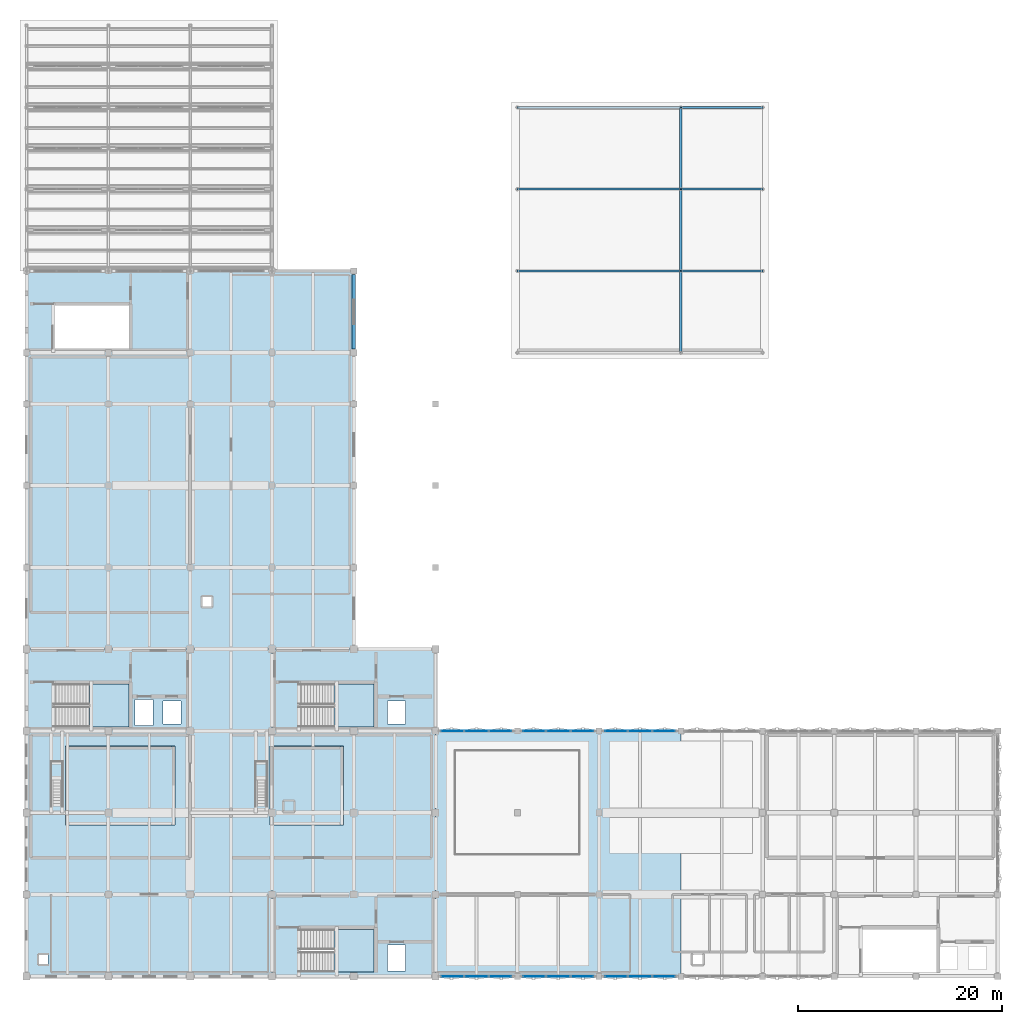
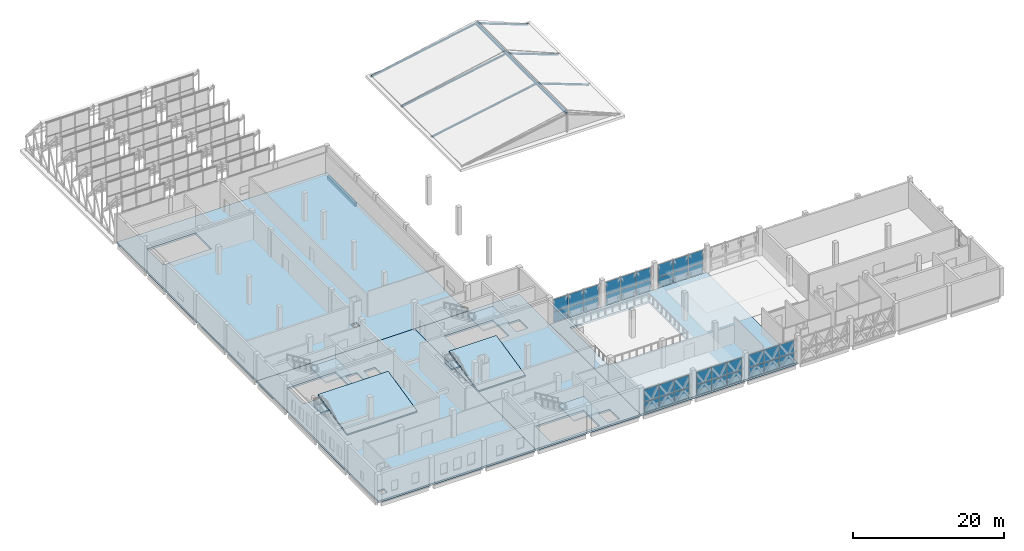
# One storey, part 29 of 43: 36 plates, 11 slabs, 6 members, 4 beams, 11 elements without a shape of their own.
"""IFC4 building model written with IfcOpenShell, lengths in metres."""

from ifc_helpers import new_model, si_unit, direction, frame, origin, origin_2d, place, context, subcontext, project, spatial, polyline, rectangle, i_section, outline, extrude, material, layer, layer_set, material_profile, profile_set, type_object, element, aggregate, save


model = new_model("IFC4")

# Units and contexts
model_context = context("Model", 3, precision=1e-05, world=origin(), true_north=direction((0.0, 1.0)))
body_context = subcontext(model_context, "Body", "Model", "MODEL_VIEW")
ifc_project = project(units=[si_unit("LENGTHUNIT", "METRE"), si_unit("AREAUNIT", "SQUARE_METRE"), si_unit("VOLUMEUNIT", "CUBIC_METRE"), si_unit("PLANEANGLEUNIT", "RADIAN"), si_unit("MASSUNIT", "GRAM", prefix="KILO")], contexts=[model_context])

# Site, building, storey
site_placement = place(None, origin())
site = spatial("IfcSite", under=ifc_project, at=site_placement, CompositionType="ELEMENT")
building_placement = place(site_placement, origin())
building = spatial("IfcBuilding", under=site, at=building_placement, Name="Qorikala Patio Media Centre", CompositionType="ELEMENT")
storey_placement = place(building_placement, frame((0.0, 0.0, 18.89990234375)))
storey = spatial("IfcBuildingStorey", under=building, at=storey_placement, Name="L04", CompositionType="ELEMENT", Elevation=18.89990234375)

# Members
ifc_material_1 = material(Name="Steel S355", Category="steel")
ifc_material_profile_1 = material_profile(ifc_material_1, i_section(OverallWidth=0.202880859375, OverallDepth=0.251953125, WebThickness=0.008056640625, FlangeThickness=0.013427734375, at=origin_2d()), Name="W250X58")
ifc_profile_set_1 = profile_set([ifc_material_profile_1], Name="Steel S355")
member_type = type_object("IfcMemberType", Name="RAFTER-W250X58", PredefinedType="RAFTER", material=ifc_profile_set_1)
member_1_placement = place(storey_placement, frame((51.0, 72.0, 0.150146484375), z_axis=(0.982872186934, 0.0, 0.18428853505), x_axis=(0.0, 1.0, 0.0)))
element("IfcMember", 1, at=member_1_placement, inside=storey, type_object=member_type, Name="RF-V5A W Steel Rafter Y=72", PredefinedType="RAFTER", context=body_context, shape_type="SweptSolid", body=[
    extrude(i_section(OverallWidth=0.202880859375, OverallDepth=0.251953125, WebThickness=0.008056640625, FlangeThickness=0.013427734375, at=origin_2d()), origin(), (0.0, 0.0, 1.0), 16.27880859375),
])
member_2_placement = place(storey_placement, frame((67.0, 72.0, 3.150146484375), z_axis=(0.936329177569, 0.0, -0.351123441588), x_axis=(0.0, 1.0, 0.0)))
element("IfcMember", 2, at=member_2_placement, inside=storey, type_object=member_type, Name="RF-V5A E Steel Rafter Y=72", PredefinedType="RAFTER", context=body_context, shape_type="SweptSolid", body=[
    extrude(i_section(OverallWidth=0.202880859375, OverallDepth=0.251953125, WebThickness=0.008056640625, FlangeThickness=0.013427734375, at=origin_2d()), origin(), (0.0, 0.0, 1.0), 8.5439453125),
])
member_3_placement = place(storey_placement, frame((51.0, 80.0, 0.150146484375), z_axis=(0.982872186934, 0.0, 0.18428853505), x_axis=(0.0, 1.0, 0.0)))
element("IfcMember", 3, at=member_3_placement, inside=storey, type_object=member_type, Name="RF-V5A W Steel Rafter Y=80", PredefinedType="RAFTER", context=body_context, shape_type="SweptSolid", body=[
    extrude(i_section(OverallWidth=0.202880859375, OverallDepth=0.251953125, WebThickness=0.008056640625, FlangeThickness=0.013427734375, at=origin_2d()), origin(), (0.0, 0.0, 1.0), 16.27880859375),
])
member_4_placement = place(storey_placement, frame((67.0, 80.0, 3.150146484375), z_axis=(0.936329177569, 0.0, -0.351123441588), x_axis=(0.0, 1.0, 0.0)))
element("IfcMember", 4, at=member_4_placement, inside=storey, type_object=member_type, Name="RF-V5A E Steel Rafter Y=80", PredefinedType="RAFTER", context=body_context, shape_type="SweptSolid", body=[
    extrude(i_section(OverallWidth=0.202880859375, OverallDepth=0.251953125, WebThickness=0.008056640625, FlangeThickness=0.013427734375, at=origin_2d()), origin(), (0.0, 0.0, 1.0), 8.5439453125),
])
member_5_placement = place(storey_placement, frame((51.0, 88.0, 0.150146484375), z_axis=(0.982872186934, 0.0, 0.18428853505), x_axis=(0.0, 1.0, 0.0)))
element("IfcMember", 5, at=member_5_placement, inside=storey, type_object=member_type, Name="RF-V5B W Steel Rafter Y=88", PredefinedType="RAFTER", context=body_context, shape_type="SweptSolid", body=[
    extrude(i_section(OverallWidth=0.202880859375, OverallDepth=0.251953125, WebThickness=0.008056640625, FlangeThickness=0.013427734375, at=origin_2d()), origin(), (0.0, 0.0, 1.0), 16.27880859375),
])
member_6_placement = place(storey_placement, frame((67.0, 88.0, 3.150146484375), z_axis=(0.936329177569, 0.0, -0.351123441588), x_axis=(0.0, 1.0, 0.0)))
element("IfcMember", 6, at=member_6_placement, inside=storey, type_object=member_type, Name="RF-V5B E Steel Rafter Y=88", PredefinedType="RAFTER", context=body_context, shape_type="SweptSolid", body=[
    extrude(i_section(OverallWidth=0.202880859375, OverallDepth=0.251953125, WebThickness=0.008056640625, FlangeThickness=0.013427734375, at=origin_2d()), origin(), (0.0, 0.0, 1.0), 8.5439453125),
])

# Beams
ifc_material_profile_2 = material_profile(ifc_material_1, i_section(OverallWidth=0.25390625, OverallDepth=0.35302734375, WebThickness=0.009521484375, FlangeThickness=0.016357421875, at=origin_2d()), Name="W360X91")
ifc_profile_set_2 = profile_set([ifc_material_profile_2], Name="Steel S355")
beam_type_1 = type_object("IfcBeamType", Name="SBM-W360X91", PredefinedType="BEAM", material=ifc_profile_set_2)
for number, where, z_axis, x_axis, name in (
    (7, (67.0, 64.0, 3.150146484375), (0.0, 1.0, 0.0), (-1.0, 0.0, 0.0), "RF-V5A Steel Ridge Girder"),
    (8, (67.0, 72.0, 3.150146484375), (0.0, 1.0, 0.0), (-1.0, 0.0, 0.0), "RF-V5A Steel Ridge Girder"),
    (9, (67.0, 80.0, 3.150146484375), (0.0, 1.0, 0.0), (-1.0, 0.0, 0.0), "RF-V5B Steel Ridge Girder"),
):
    element("IfcBeam", number, at=place(storey_placement, frame(where, z_axis=z_axis, x_axis=x_axis)), inside=storey, type_object=beam_type_1, Name=name, PredefinedType="BEAM", context=body_context, shape_type="SweptSolid", body=[
        extrude(i_section(OverallWidth=0.25390625, OverallDepth=0.35302734375, WebThickness=0.009521484375, FlangeThickness=0.016357421875, at=origin_2d()), origin(), (0.0, 0.0, 1.0), 8.0),
    ])
ifc_material_2 = material(Name="Concrete C35/45", Category="concrete")
ifc_material_profile_3 = material_profile(ifc_material_2, rectangle(XDim=0.320068359375, YDim=0.580078125, at=origin_2d()), Name="RC 320x580")
ifc_profile_set_3 = profile_set([ifc_material_profile_3], Name="Concrete C35/45")
beam_type_2 = type_object("IfcBeamType", Name="SP-320X580", PredefinedType="SPANDREL", material=ifc_profile_set_3)
beam_placement = place(storey_placement, frame((35.0, 64.35009765625, -0.58984375), z_axis=(0.0, 1.0, 0.0), x_axis=(-1.0, 0.0, 0.0)))
element("IfcBeam", 10, at=beam_placement, inside=storey, type_object=beam_type_2, Name="L04 Grid X=35 Beam 1423", PredefinedType="SPANDREL", context=body_context, shape_type="SweptSolid", body=[
    extrude(rectangle(XDim=0.320068359375, YDim=0.580078125, at=origin_2d()), origin(), (0.0, 0.0, 1.0), 7.2998046875),
])

# Curtain wall, plates
ifc_material_3 = material(Name="Golden Bronze Anodised Aluminium and Low-E Glass", Category="aluminium")
ifc_layer_1 = layer(ifc_material_3, 0.159912109375)
ifc_layer_set_1 = layer_set([ifc_layer_1], Name="Golden Bronze Anodised Aluminium and Low-E Glass")
curtain_wall_type = type_object("IfcCurtainWallType", Name="CW-DIA-696X385", PredefinedType="USERDEFINED", material=ifc_layer_set_1)
curtain_wall_1_placement = place(storey_placement, origin())
curtain_wall_1 = element("IfcCurtainWall", 11, at=curtain_wall_1_placement, inside=storey, type_object=curtain_wall_type, Name="L04 Courtyard Curtain Wall 086", ObjectType="COURTYARD CURTAIN WALL", PredefinedType="USERDEFINED")
ifc_material_4 = material(Name="Solar-Control Diamond Facet Glass", Category="glass")
ifc_layer_2 = layer(ifc_material_4, 0.035888671875)
ifc_layer_set_2 = layer_set([ifc_layer_2], Name="Solar-Control Diamond Facet Glass")
plate_type = type_object("IfcPlateType", Name="CWP-36", PredefinedType="CURTAIN_PANEL", material=ifc_layer_set_2)
plate_1_placement = place(storey_placement, frame((65.3037109375, 3.0, 0.06494140625), z_axis=(0.0, 0.0, 1.0), x_axis=(-1.0, 0.0, 0.0)))
plate_1 = element("IfcPlate", 12, at=plate_1_placement, type_object=plate_type, Name="CWD696385 panel 1.1", PredefinedType="CURTAIN_PANEL", context=body_context, shape_type="SweptSolid", body=[
    extrude(rectangle(XDim=2.222412109375, YDim=0.035888671875, at=origin_2d()), origin(), (0.0, 0.0, 1.0), 1.635009765625),
])
plate_2_placement = place(storey_placement, frame((65.3037109375, 3.0, 1.76513671875), z_axis=(0.0, 0.0, 1.0), x_axis=(-1.0, 0.0, 0.0)))
plate_2 = element("IfcPlate", 13, at=plate_2_placement, type_object=plate_type, Name="CWD696385 panel 1.2", PredefinedType="CURTAIN_PANEL", context=body_context, shape_type="SweptSolid", body=[
    extrude(rectangle(XDim=2.222412109375, YDim=0.035888671875, at=origin_2d()), origin(), (0.0, 0.0, 1.0), 2.02001953125),
])
plate_3_placement = place(storey_placement, frame((63.0, 3.0, 0.06494140625), z_axis=(0.0, 0.0, 1.0), x_axis=(-1.0, 0.0, 0.0)))
plate_3 = element("IfcPlate", 14, at=plate_3_placement, type_object=plate_type, Name="CWD696385 panel 2.1", PredefinedType="CURTAIN_PANEL", context=body_context, shape_type="SweptSolid", body=[
    extrude(rectangle(XDim=2.2548828125, YDim=0.035888671875, at=origin_2d()), origin(), (0.0, 0.0, 1.0), 1.635009765625),
])
plate_4_placement = place(storey_placement, frame((63.0, 3.0, 1.76513671875), z_axis=(0.0, 0.0, 1.0), x_axis=(-1.0, 0.0, 0.0)))
plate_4 = element("IfcPlate", 15, at=plate_4_placement, type_object=plate_type, Name="CWD696385 panel 2.2", PredefinedType="CURTAIN_PANEL", context=body_context, shape_type="SweptSolid", body=[
    extrude(rectangle(XDim=2.2548828125, YDim=0.035888671875, at=origin_2d()), origin(), (0.0, 0.0, 1.0), 2.02001953125),
])
plate_5_placement = place(storey_placement, frame((60.6962890625, 3.0, 0.06494140625), z_axis=(0.0, 0.0, 1.0), x_axis=(-1.0, 0.0, 0.0)))
plate_5 = element("IfcPlate", 16, at=plate_5_placement, type_object=plate_type, Name="CWD696385 panel 3.1", PredefinedType="CURTAIN_PANEL", context=body_context, shape_type="SweptSolid", body=[
    extrude(rectangle(XDim=2.222412109375, YDim=0.035888671875, at=origin_2d()), origin(), (0.0, 0.0, 1.0), 1.635009765625),
])
plate_6_placement = place(storey_placement, frame((60.6962890625, 3.0, 1.76513671875), z_axis=(0.0, 0.0, 1.0), x_axis=(-1.0, 0.0, 0.0)))
plate_6 = element("IfcPlate", 17, at=plate_6_placement, type_object=plate_type, Name="CWD696385 panel 3.2", PredefinedType="CURTAIN_PANEL", context=body_context, shape_type="SweptSolid", body=[
    extrude(rectangle(XDim=2.222412109375, YDim=0.035888671875, at=origin_2d()), origin(), (0.0, 0.0, 1.0), 2.02001953125),
])
aggregate(curtain_wall_1, [plate_1, plate_2, plate_3, plate_4, plate_5, plate_6])

curtain_wall_2_placement = place(storey_placement, origin())
curtain_wall_2 = element("IfcCurtainWall", 18, at=curtain_wall_2_placement, inside=storey, type_object=curtain_wall_type, Name="L04 Courtyard Curtain Wall 087", ObjectType="COURTYARD CURTAIN WALL", PredefinedType="USERDEFINED")
plate_7_placement = place(storey_placement, frame((57.3037109375, 3.0, 0.06494140625), z_axis=(0.0, 0.0, 1.0), x_axis=(-1.0, 0.0, 0.0)))
plate_7 = element("IfcPlate", 19, at=plate_7_placement, type_object=plate_type, Name="CWD696385 panel 1.1", PredefinedType="CURTAIN_PANEL", context=body_context, shape_type="SweptSolid", body=[
    extrude(rectangle(XDim=2.222412109375, YDim=0.035888671875, at=origin_2d()), origin(), (0.0, 0.0, 1.0), 1.635009765625),
])
plate_8_placement = place(storey_placement, frame((57.3037109375, 3.0, 1.76513671875), z_axis=(0.0, 0.0, 1.0), x_axis=(-1.0, 0.0, 0.0)))
plate_8 = element("IfcPlate", 20, at=plate_8_placement, type_object=plate_type, Name="CWD696385 panel 1.2", PredefinedType="CURTAIN_PANEL", context=body_context, shape_type="SweptSolid", body=[
    extrude(rectangle(XDim=2.222412109375, YDim=0.035888671875, at=origin_2d()), origin(), (0.0, 0.0, 1.0), 2.02001953125),
])
plate_9_placement = place(storey_placement, frame((55.0, 3.0, 0.06494140625), z_axis=(0.0, 0.0, 1.0), x_axis=(-1.0, 0.0, 0.0)))
plate_9 = element("IfcPlate", 21, at=plate_9_placement, type_object=plate_type, Name="CWD696385 panel 2.1", PredefinedType="CURTAIN_PANEL", context=body_context, shape_type="SweptSolid", body=[
    extrude(rectangle(XDim=2.2548828125, YDim=0.035888671875, at=origin_2d()), origin(), (0.0, 0.0, 1.0), 1.635009765625),
])
plate_10_placement = place(storey_placement, frame((55.0, 3.0, 1.76513671875), z_axis=(0.0, 0.0, 1.0), x_axis=(-1.0, 0.0, 0.0)))
plate_10 = element("IfcPlate", 22, at=plate_10_placement, type_object=plate_type, Name="CWD696385 panel 2.2", PredefinedType="CURTAIN_PANEL", context=body_context, shape_type="SweptSolid", body=[
    extrude(rectangle(XDim=2.2548828125, YDim=0.035888671875, at=origin_2d()), origin(), (0.0, 0.0, 1.0), 2.02001953125),
])
plate_11_placement = place(storey_placement, frame((52.6962890625, 3.0, 0.06494140625), z_axis=(0.0, 0.0, 1.0), x_axis=(-1.0, 0.0, 0.0)))
plate_11 = element("IfcPlate", 23, at=plate_11_placement, type_object=plate_type, Name="CWD696385 panel 3.1", PredefinedType="CURTAIN_PANEL", context=body_context, shape_type="SweptSolid", body=[
    extrude(rectangle(XDim=2.222412109375, YDim=0.035888671875, at=origin_2d()), origin(), (0.0, 0.0, 1.0), 1.635009765625),
])
plate_12_placement = place(storey_placement, frame((52.6962890625, 3.0, 1.76513671875), z_axis=(0.0, 0.0, 1.0), x_axis=(-1.0, 0.0, 0.0)))
plate_12 = element("IfcPlate", 24, at=plate_12_placement, type_object=plate_type, Name="CWD696385 panel 3.2", PredefinedType="CURTAIN_PANEL", context=body_context, shape_type="SweptSolid", body=[
    extrude(rectangle(XDim=2.222412109375, YDim=0.035888671875, at=origin_2d()), origin(), (0.0, 0.0, 1.0), 2.02001953125),
])
aggregate(curtain_wall_2, [plate_7, plate_8, plate_9, plate_10, plate_11, plate_12])

curtain_wall_3_placement = place(storey_placement, origin())
curtain_wall_3 = element("IfcCurtainWall", 25, at=curtain_wall_3_placement, inside=storey, type_object=curtain_wall_type, Name="L04 Courtyard Curtain Wall 088", ObjectType="COURTYARD CURTAIN WALL", PredefinedType="USERDEFINED")
plate_13_placement = place(storey_placement, frame((49.3037109375, 3.0, 0.06494140625), z_axis=(0.0, 0.0, 1.0), x_axis=(-1.0, 0.0, 0.0)))
plate_13 = element("IfcPlate", 26, at=plate_13_placement, type_object=plate_type, Name="CWD696385 panel 1.1", PredefinedType="CURTAIN_PANEL", context=body_context, shape_type="SweptSolid", body=[
    extrude(rectangle(XDim=2.222412109375, YDim=0.035888671875, at=origin_2d()), origin(), (0.0, 0.0, 1.0), 1.635009765625),
])
plate_14_placement = place(storey_placement, frame((49.3037109375, 3.0, 1.76513671875), z_axis=(0.0, 0.0, 1.0), x_axis=(-1.0, 0.0, 0.0)))
plate_14 = element("IfcPlate", 27, at=plate_14_placement, type_object=plate_type, Name="CWD696385 panel 1.2", PredefinedType="CURTAIN_PANEL", context=body_context, shape_type="SweptSolid", body=[
    extrude(rectangle(XDim=2.222412109375, YDim=0.035888671875, at=origin_2d()), origin(), (0.0, 0.0, 1.0), 2.02001953125),
])
plate_15_placement = place(storey_placement, frame((47.0, 3.0, 0.06494140625), z_axis=(0.0, 0.0, 1.0), x_axis=(-1.0, 0.0, 0.0)))
plate_15 = element("IfcPlate", 28, at=plate_15_placement, type_object=plate_type, Name="CWD696385 panel 2.1", PredefinedType="CURTAIN_PANEL", context=body_context, shape_type="SweptSolid", body=[
    extrude(rectangle(XDim=2.2548828125, YDim=0.035888671875, at=origin_2d()), origin(), (0.0, 0.0, 1.0), 1.635009765625),
])
plate_16_placement = place(storey_placement, frame((47.0, 3.0, 1.76513671875), z_axis=(0.0, 0.0, 1.0), x_axis=(-1.0, 0.0, 0.0)))
plate_16 = element("IfcPlate", 29, at=plate_16_placement, type_object=plate_type, Name="CWD696385 panel 2.2", PredefinedType="CURTAIN_PANEL", context=body_context, shape_type="SweptSolid", body=[
    extrude(rectangle(XDim=2.2548828125, YDim=0.035888671875, at=origin_2d()), origin(), (0.0, 0.0, 1.0), 2.02001953125),
])
plate_17_placement = place(storey_placement, frame((44.6962890625, 3.0, 0.06494140625), z_axis=(0.0, 0.0, 1.0), x_axis=(-1.0, 0.0, 0.0)))
plate_17 = element("IfcPlate", 30, at=plate_17_placement, type_object=plate_type, Name="CWD696385 panel 3.1", PredefinedType="CURTAIN_PANEL", context=body_context, shape_type="SweptSolid", body=[
    extrude(rectangle(XDim=2.222412109375, YDim=0.035888671875, at=origin_2d()), origin(), (0.0, 0.0, 1.0), 1.635009765625),
])
plate_18_placement = place(storey_placement, frame((44.6962890625, 3.0, 1.76513671875), z_axis=(0.0, 0.0, 1.0), x_axis=(-1.0, 0.0, 0.0)))
plate_18 = element("IfcPlate", 31, at=plate_18_placement, type_object=plate_type, Name="CWD696385 panel 3.2", PredefinedType="CURTAIN_PANEL", context=body_context, shape_type="SweptSolid", body=[
    extrude(rectangle(XDim=2.222412109375, YDim=0.035888671875, at=origin_2d()), origin(), (0.0, 0.0, 1.0), 2.02001953125),
])
aggregate(curtain_wall_3, [plate_13, plate_14, plate_15, plate_16, plate_17, plate_18])

curtain_wall_4_placement = place(storey_placement, origin())
curtain_wall_4 = element("IfcCurtainWall", 32, at=curtain_wall_4_placement, inside=storey, type_object=curtain_wall_type, Name="L04 Courtyard Curtain Wall 089", ObjectType="COURTYARD CURTAIN WALL", PredefinedType="USERDEFINED")
plate_19_placement = place(storey_placement, frame((44.6962890625, 27.0, 0.06494140625), z_axis=(0.0, 0.0, 1.0), x_axis=(1.0, 0.0, 0.0)))
plate_19 = element("IfcPlate", 33, at=plate_19_placement, type_object=plate_type, Name="CWD696385 panel 1.1", PredefinedType="CURTAIN_PANEL", context=body_context, shape_type="SweptSolid", body=[
    extrude(rectangle(XDim=2.222412109375, YDim=0.035888671875, at=origin_2d()), origin(), (0.0, 0.0, 1.0), 1.635009765625),
])
plate_20_placement = place(storey_placement, frame((44.6962890625, 27.0, 1.76513671875), z_axis=(0.0, 0.0, 1.0), x_axis=(1.0, 0.0, 0.0)))
plate_20 = element("IfcPlate", 34, at=plate_20_placement, type_object=plate_type, Name="CWD696385 panel 1.2", PredefinedType="CURTAIN_PANEL", context=body_context, shape_type="SweptSolid", body=[
    extrude(rectangle(XDim=2.222412109375, YDim=0.035888671875, at=origin_2d()), origin(), (0.0, 0.0, 1.0), 2.02001953125),
])
plate_21_placement = place(storey_placement, frame((47.0, 27.0, 0.06494140625), z_axis=(0.0, 0.0, 1.0), x_axis=(1.0, 0.0, 0.0)))
plate_21 = element("IfcPlate", 35, at=plate_21_placement, type_object=plate_type, Name="CWD696385 panel 2.1", PredefinedType="CURTAIN_PANEL", context=body_context, shape_type="SweptSolid", body=[
    extrude(rectangle(XDim=2.2548828125, YDim=0.035888671875, at=origin_2d()), origin(), (0.0, 0.0, 1.0), 1.635009765625),
])
plate_22_placement = place(storey_placement, frame((47.0, 27.0, 1.76513671875), z_axis=(0.0, 0.0, 1.0), x_axis=(1.0, 0.0, 0.0)))
plate_22 = element("IfcPlate", 36, at=plate_22_placement, type_object=plate_type, Name="CWD696385 panel 2.2", PredefinedType="CURTAIN_PANEL", context=body_context, shape_type="SweptSolid", body=[
    extrude(rectangle(XDim=2.2548828125, YDim=0.035888671875, at=origin_2d()), origin(), (0.0, 0.0, 1.0), 2.02001953125),
])
plate_23_placement = place(storey_placement, frame((49.3037109375, 27.0, 0.06494140625), z_axis=(0.0, 0.0, 1.0), x_axis=(1.0, 0.0, 0.0)))
plate_23 = element("IfcPlate", 37, at=plate_23_placement, type_object=plate_type, Name="CWD696385 panel 3.1", PredefinedType="CURTAIN_PANEL", context=body_context, shape_type="SweptSolid", body=[
    extrude(rectangle(XDim=2.222412109375, YDim=0.035888671875, at=origin_2d()), origin(), (0.0, 0.0, 1.0), 1.635009765625),
])
plate_24_placement = place(storey_placement, frame((49.3037109375, 27.0, 1.76513671875), z_axis=(0.0, 0.0, 1.0), x_axis=(1.0, 0.0, 0.0)))
plate_24 = element("IfcPlate", 38, at=plate_24_placement, type_object=plate_type, Name="CWD696385 panel 3.2", PredefinedType="CURTAIN_PANEL", context=body_context, shape_type="SweptSolid", body=[
    extrude(rectangle(XDim=2.222412109375, YDim=0.035888671875, at=origin_2d()), origin(), (0.0, 0.0, 1.0), 2.02001953125),
])
aggregate(curtain_wall_4, [plate_19, plate_20, plate_21, plate_22, plate_23, plate_24])

curtain_wall_5_placement = place(storey_placement, origin())
curtain_wall_5 = element("IfcCurtainWall", 39, at=curtain_wall_5_placement, inside=storey, type_object=curtain_wall_type, Name="L04 Courtyard Curtain Wall 090", ObjectType="COURTYARD CURTAIN WALL", PredefinedType="USERDEFINED")
plate_25_placement = place(storey_placement, frame((52.6962890625, 27.0, 0.06494140625), z_axis=(0.0, 0.0, 1.0), x_axis=(1.0, 0.0, 0.0)))
plate_25 = element("IfcPlate", 40, at=plate_25_placement, type_object=plate_type, Name="CWD696385 panel 1.1", PredefinedType="CURTAIN_PANEL", context=body_context, shape_type="SweptSolid", body=[
    extrude(rectangle(XDim=2.222412109375, YDim=0.035888671875, at=origin_2d()), origin(), (0.0, 0.0, 1.0), 1.635009765625),
])
plate_26_placement = place(storey_placement, frame((52.6962890625, 27.0, 1.76513671875), z_axis=(0.0, 0.0, 1.0), x_axis=(1.0, 0.0, 0.0)))
plate_26 = element("IfcPlate", 41, at=plate_26_placement, type_object=plate_type, Name="CWD696385 panel 1.2", PredefinedType="CURTAIN_PANEL", context=body_context, shape_type="SweptSolid", body=[
    extrude(rectangle(XDim=2.222412109375, YDim=0.035888671875, at=origin_2d()), origin(), (0.0, 0.0, 1.0), 2.02001953125),
])
plate_27_placement = place(storey_placement, frame((55.0, 27.0, 0.06494140625), z_axis=(0.0, 0.0, 1.0), x_axis=(1.0, 0.0, 0.0)))
plate_27 = element("IfcPlate", 42, at=plate_27_placement, type_object=plate_type, Name="CWD696385 panel 2.1", PredefinedType="CURTAIN_PANEL", context=body_context, shape_type="SweptSolid", body=[
    extrude(rectangle(XDim=2.2548828125, YDim=0.035888671875, at=origin_2d()), origin(), (0.0, 0.0, 1.0), 1.635009765625),
])
plate_28_placement = place(storey_placement, frame((55.0, 27.0, 1.76513671875), z_axis=(0.0, 0.0, 1.0), x_axis=(1.0, 0.0, 0.0)))
plate_28 = element("IfcPlate", 43, at=plate_28_placement, type_object=plate_type, Name="CWD696385 panel 2.2", PredefinedType="CURTAIN_PANEL", context=body_context, shape_type="SweptSolid", body=[
    extrude(rectangle(XDim=2.2548828125, YDim=0.035888671875, at=origin_2d()), origin(), (0.0, 0.0, 1.0), 2.02001953125),
])
plate_29_placement = place(storey_placement, frame((57.3037109375, 27.0, 0.06494140625), z_axis=(0.0, 0.0, 1.0), x_axis=(1.0, 0.0, 0.0)))
plate_29 = element("IfcPlate", 44, at=plate_29_placement, type_object=plate_type, Name="CWD696385 panel 3.1", PredefinedType="CURTAIN_PANEL", context=body_context, shape_type="SweptSolid", body=[
    extrude(rectangle(XDim=2.222412109375, YDim=0.035888671875, at=origin_2d()), origin(), (0.0, 0.0, 1.0), 1.635009765625),
])
plate_30_placement = place(storey_placement, frame((57.3037109375, 27.0, 1.76513671875), z_axis=(0.0, 0.0, 1.0), x_axis=(1.0, 0.0, 0.0)))
plate_30 = element("IfcPlate", 45, at=plate_30_placement, type_object=plate_type, Name="CWD696385 panel 3.2", PredefinedType="CURTAIN_PANEL", context=body_context, shape_type="SweptSolid", body=[
    extrude(rectangle(XDim=2.222412109375, YDim=0.035888671875, at=origin_2d()), origin(), (0.0, 0.0, 1.0), 2.02001953125),
])
aggregate(curtain_wall_5, [plate_25, plate_26, plate_27, plate_28, plate_29, plate_30])

curtain_wall_6_placement = place(storey_placement, origin())
curtain_wall_6 = element("IfcCurtainWall", 46, at=curtain_wall_6_placement, inside=storey, type_object=curtain_wall_type, Name="L04 Courtyard Curtain Wall 091", ObjectType="COURTYARD CURTAIN WALL", PredefinedType="USERDEFINED")
plate_31_placement = place(storey_placement, frame((60.6962890625, 27.0, 0.06494140625), z_axis=(0.0, 0.0, 1.0), x_axis=(1.0, 0.0, 0.0)))
plate_31 = element("IfcPlate", 47, at=plate_31_placement, type_object=plate_type, Name="CWD696385 panel 1.1", PredefinedType="CURTAIN_PANEL", context=body_context, shape_type="SweptSolid", body=[
    extrude(rectangle(XDim=2.222412109375, YDim=0.035888671875, at=origin_2d()), origin(), (0.0, 0.0, 1.0), 1.635009765625),
])
plate_32_placement = place(storey_placement, frame((60.6962890625, 27.0, 1.76513671875), z_axis=(0.0, 0.0, 1.0), x_axis=(1.0, 0.0, 0.0)))
plate_32 = element("IfcPlate", 48, at=plate_32_placement, type_object=plate_type, Name="CWD696385 panel 1.2", PredefinedType="CURTAIN_PANEL", context=body_context, shape_type="SweptSolid", body=[
    extrude(rectangle(XDim=2.222412109375, YDim=0.035888671875, at=origin_2d()), origin(), (0.0, 0.0, 1.0), 2.02001953125),
])
plate_33_placement = place(storey_placement, frame((63.0, 27.0, 0.06494140625), z_axis=(0.0, 0.0, 1.0), x_axis=(1.0, 0.0, 0.0)))
plate_33 = element("IfcPlate", 49, at=plate_33_placement, type_object=plate_type, Name="CWD696385 panel 2.1", PredefinedType="CURTAIN_PANEL", context=body_context, shape_type="SweptSolid", body=[
    extrude(rectangle(XDim=2.2548828125, YDim=0.035888671875, at=origin_2d()), origin(), (0.0, 0.0, 1.0), 1.635009765625),
])
plate_34_placement = place(storey_placement, frame((63.0, 27.0, 1.76513671875), z_axis=(0.0, 0.0, 1.0), x_axis=(1.0, 0.0, 0.0)))
plate_34 = element("IfcPlate", 50, at=plate_34_placement, type_object=plate_type, Name="CWD696385 panel 2.2", PredefinedType="CURTAIN_PANEL", context=body_context, shape_type="SweptSolid", body=[
    extrude(rectangle(XDim=2.2548828125, YDim=0.035888671875, at=origin_2d()), origin(), (0.0, 0.0, 1.0), 2.02001953125),
])
plate_35_placement = place(storey_placement, frame((65.3037109375, 27.0, 0.06494140625), z_axis=(0.0, 0.0, 1.0), x_axis=(1.0, 0.0, 0.0)))
plate_35 = element("IfcPlate", 51, at=plate_35_placement, type_object=plate_type, Name="CWD696385 panel 3.1", PredefinedType="CURTAIN_PANEL", context=body_context, shape_type="SweptSolid", body=[
    extrude(rectangle(XDim=2.222412109375, YDim=0.035888671875, at=origin_2d()), origin(), (0.0, 0.0, 1.0), 1.635009765625),
])
plate_36_placement = place(storey_placement, frame((65.3037109375, 27.0, 1.76513671875), z_axis=(0.0, 0.0, 1.0), x_axis=(1.0, 0.0, 0.0)))
plate_36 = element("IfcPlate", 52, at=plate_36_placement, type_object=plate_type, Name="CWD696385 panel 3.2", PredefinedType="CURTAIN_PANEL", context=body_context, shape_type="SweptSolid", body=[
    extrude(rectangle(XDim=2.222412109375, YDim=0.035888671875, at=origin_2d()), origin(), (0.0, 0.0, 1.0), 2.02001953125),
])
aggregate(curtain_wall_6, [plate_31, plate_32, plate_33, plate_34, plate_35, plate_36])

# Slabs
ifc_layer_3 = layer(ifc_material_2, 0.300048828125)
ifc_layer_set_3 = layer_set([ifc_layer_3], Name="Concrete C35/45")
slab_type_1 = type_object("IfcSlabType", Name="SL-FLOOR-300", PredefinedType="FLOOR", material=ifc_layer_set_3)
slab_1_placement = place(storey_placement, frame((0.0, 0.0, -0.2998046875)))
element("IfcSlab", 53, at=slab_1_placement, inside=storey, type_object=slab_type_1, Name="L04 V1A Slab 1.1", PredefinedType="FLOOR", context=body_context, shape_type="SweptSolid", body=[
    extrude(outline(polyline([(3.0, 35.0), (27.0, 35.0), (27.0, 3.0), (3.0, 3.0), (3.0, 35.0)]), holes=[polyline([(5.10009765625, 4.199951171875), (5.10009765625, 5.10009765625), (4.199951171875, 5.10009765625), (4.199951171875, 4.199951171875), (5.10009765625, 4.199951171875)]), polyline([(15.3798828125, 27.52001953125), (15.3798828125, 30.080078125), (13.6201171875, 30.080078125), (13.6201171875, 27.52001953125), (15.3798828125, 27.52001953125)]), polyline([(18.080078125, 27.669921875), (18.080078125, 29.929931640625), (16.320068359375, 29.929931640625), (16.320068359375, 27.669921875), (18.080078125, 27.669921875)]), polyline([(13.0, 27.39990234375), (13.0, 31.60009765625), (5.60009765625, 31.60009765625), (5.60009765625, 27.39990234375), (13.0, 27.39990234375)])]), origin(), (0.0, 0.0, 1.0), 0.2998046875),
])
slab_2_placement = place(storey_placement, frame((0.0, 0.0, -0.2998046875)))
element("IfcSlab", 54, at=slab_2_placement, inside=storey, type_object=slab_type_1, Name="L04 V1B Slab 2.1", PredefinedType="FLOOR", context=body_context, shape_type="SweptSolid", body=[
    extrude(outline(polyline([(43.0, 3.0), (27.0, 3.0), (27.0, 35.0), (43.0, 35.0), (43.0, 3.0)]), holes=[polyline([(37.0, 3.39990234375), (37.0, 7.60009765625), (29.60009765625, 7.60009765625), (29.60009765625, 3.39990234375), (37.0, 3.39990234375)]), polyline([(29.10009765625, 19.199951171875), (29.10009765625, 20.10009765625), (28.199951171875, 20.10009765625), (28.199951171875, 19.199951171875), (29.10009765625, 19.199951171875)]), polyline([(40.080078125, 3.52001953125), (40.080078125, 6.080078125), (38.320068359375, 6.080078125), (38.320068359375, 3.52001953125), (40.080078125, 3.52001953125)]), polyline([(40.080078125, 27.669921875), (40.080078125, 29.929931640625), (38.320068359375, 29.929931640625), (38.320068359375, 27.669921875), (40.080078125, 27.669921875)]), polyline([(37.0, 27.39990234375), (37.0, 31.60009765625), (29.60009765625, 31.60009765625), (29.60009765625, 27.39990234375), (37.0, 27.39990234375)])]), origin(), (0.0, 0.0, 1.0), 0.2998046875),
])
slab_3_placement = place(storey_placement, frame((0.0, 0.0, -0.2998046875)))
element("IfcSlab", 55, at=slab_3_placement, inside=storey, type_object=slab_type_1, Name="L04 V2A Slab 3.1", PredefinedType="FLOOR", context=body_context, shape_type="SweptSolid", body=[
    extrude(outline(polyline([(67.0, 3.0), (43.0, 3.0), (43.0, 27.0), (67.0, 27.0), (67.0, 3.0)]), holes=[polyline([(57.0, 25.0), (45.0, 25.0), (45.0, 15.0), (57.0, 15.0), (57.0, 25.0)])]), origin(), (0.0, 0.0, 1.0), 0.2998046875),
])
slab_4_placement = place(storey_placement, frame((0.0, 0.0, -0.2998046875)))
element("IfcSlab", 56, at=slab_4_placement, inside=storey, type_object=slab_type_1, Name="L04 V3 Slab 5.1", PredefinedType="FLOOR", context=body_context, shape_type="SweptSolid", body=[
    extrude(outline(polyline([(35.0, 72.0), (35.0, 35.0), (27.0, 35.0), (3.0, 35.0), (3.0, 72.0), (35.0, 72.0)]), holes=[polyline([(21.10009765625, 39.199951171875), (21.10009765625, 40.10009765625), (20.199951171875, 40.10009765625), (20.199951171875, 39.199951171875), (21.10009765625, 39.199951171875)]), polyline([(13.0, 64.39990234375), (13.0, 68.60009765625), (5.60009765625, 68.60009765625), (5.60009765625, 64.39990234375), (13.0, 64.39990234375)])]), origin(), (0.0, 0.0, 1.0), 0.2998046875),
])

# Stair, slab
ifc_material_5 = material(Name="Precast concrete C40/50", Category="concrete")
stair_type_1 = type_object("IfcStairType", Name="ST-DL-26R173W200", PredefinedType="HALF_TURN_STAIR", material=ifc_material_5)
stair_1_placement = place(storey_placement, origin())
stair_1 = element("IfcStair", 57, at=stair_1_placement, inside=storey, type_object=stair_type_1, Name="L04 Core C1 Exit Stair ST-1", PredefinedType="HALF_TURN_STAIR")
ifc_layer_4 = layer(ifc_material_5, 0.199951171875)
ifc_layer_set_4 = layer_set([ifc_layer_4], Name="Precast concrete C40/50")
slab_type_2 = type_object("IfcSlabType", Name="SL-LAND-200", PredefinedType="LANDING", material=ifc_layer_set_4)
slab_5_placement = place(storey_placement, frame((0.0, 0.0, 2.050048828125)))
slab_5 = element("IfcSlab", 58, at=slab_5_placement, type_object=slab_type_2, Name="ST-1 landing 1", PredefinedType="LANDING", context=body_context, shape_type="SweptSolid", body=[
    extrude(outline(polyline([(33.080078125, 3.39990234375), (37.0, 3.39990234375), (37.0, 7.60009765625), (33.080078125, 7.60009765625), (33.080078125, 3.39990234375)])), origin(), (0.0, 0.0, 1.0), 0.199951171875),
])
aggregate(stair_1, [slab_5])

stair_2_placement = place(storey_placement, origin())
stair_2 = element("IfcStair", 59, at=stair_2_placement, inside=storey, type_object=stair_type_1, Name="L04 Core C2 Exit Stair ST-2", PredefinedType="HALF_TURN_STAIR")
slab_6_placement = place(storey_placement, frame((0.0, 0.0, 2.050048828125)))
slab_6 = element("IfcSlab", 60, at=slab_6_placement, type_object=slab_type_2, Name="ST-2 landing 1", PredefinedType="LANDING", context=body_context, shape_type="SweptSolid", body=[
    extrude(outline(polyline([(9.080078125, 27.39990234375), (13.0, 27.39990234375), (13.0, 31.60009765625), (9.080078125, 31.60009765625), (9.080078125, 27.39990234375)])), origin(), (0.0, 0.0, 1.0), 0.199951171875),
])
aggregate(stair_2, [slab_6])

stair_3_placement = place(storey_placement, origin())
stair_3 = element("IfcStair", 61, at=stair_3_placement, inside=storey, type_object=stair_type_1, Name="L04 Core C5 Exit Stair ST-5", PredefinedType="HALF_TURN_STAIR")
slab_7_placement = place(storey_placement, frame((0.0, 0.0, 2.050048828125)))
slab_7 = element("IfcSlab", 62, at=slab_7_placement, type_object=slab_type_2, Name="ST-5 landing 1", PredefinedType="LANDING", context=body_context, shape_type="SweptSolid", body=[
    extrude(outline(polyline([(33.080078125, 27.39990234375), (37.0, 27.39990234375), (37.0, 31.60009765625), (33.080078125, 31.60009765625), (33.080078125, 27.39990234375)])), origin(), (0.0, 0.0, 1.0), 0.199951171875),
])
aggregate(stair_3, [slab_7])

stair_type_2 = type_object("IfcStairType", Name="ST-VOM-STR", PredefinedType="STRAIGHT_RUN_STAIR", material=ifc_material_2)
stair_4_placement = place(storey_placement, origin())
stair_4 = element("IfcStair", 63, at=stair_4_placement, inside=storey, type_object=stair_type_2, Name="Vomitory Stair VS-05", PredefinedType="STRAIGHT_RUN_STAIR")
slab_8_placement = place(storey_placement, frame((0.0, 0.0, 1.60009765625)))
slab_8 = element("IfcSlab", 64, at=slab_8_placement, type_object=slab_type_2, Name="VS-05 landing 1", PredefinedType="LANDING", context=body_context, shape_type="SweptSolid", body=[
    extrude(outline(polyline([(5.324951171875, 22.25), (6.574951171875, 22.25), (6.574951171875, 24.050048828125), (5.324951171875, 24.050048828125), (5.324951171875, 22.25)])), origin(), (0.0, 0.0, 1.0), 0.199951171875),
])
aggregate(stair_4, [slab_8])

stair_5_placement = place(storey_placement, origin())
stair_5 = element("IfcStair", 65, at=stair_5_placement, inside=storey, type_object=stair_type_2, Name="Vomitory Stair VS-06", PredefinedType="STRAIGHT_RUN_STAIR")
slab_9_placement = place(storey_placement, frame((0.0, 0.0, 1.60009765625)))
slab_9 = element("IfcSlab", 66, at=slab_9_placement, type_object=slab_type_2, Name="VS-06 landing 1", PredefinedType="LANDING", context=body_context, shape_type="SweptSolid", body=[
    extrude(outline(polyline([(25.324951171875, 22.25), (26.574951171875, 22.25), (26.574951171875, 24.050048828125), (25.324951171875, 24.050048828125), (25.324951171875, 22.25)])), origin(), (0.0, 0.0, 1.0), 0.199951171875),
])
aggregate(stair_5, [slab_9])

# Slabs
ifc_layer_5 = layer(ifc_material_2, 0.239990234375)
ifc_layer_set_5 = layer_set([ifc_layer_5], Name="Concrete C35/45")
slab_type_3 = type_object("IfcSlabType", Name="SL-TIER-240", PredefinedType="USERDEFINED", material=ifc_layer_set_5)
slab_10_placement = place(storey_placement, frame((6.800048828125, 17.800048828125, 0.5), z_axis=(0.0, -0.22162243994, 0.975132552074), x_axis=(1.0, 0.0, 0.0)))
element("IfcSlab", 67, at=slab_10_placement, inside=storey, type_object=slab_type_3, Name="Cinema Screen 5 Raked Seating Tier", ObjectType="SEATING TIER", PredefinedType="USERDEFINED", context=body_context, shape_type="SweptSolid", body=[
    extrude(outline(polyline([(0.0, 0.0), (10.699951171875, 0.0), (10.699951171875, 7.896312306973375), (0.0, 7.896312306973375), (0.0, 0.0)])), origin(), (0.0, 0.0, -1.0), 0.239990234375),
])
slab_11_placement = place(storey_placement, frame((26.800048828125, 17.800048828125, 0.5), z_axis=(0.0, -0.22162243994, 0.975132552074), x_axis=(1.0, 0.0, 0.0)))
element("IfcSlab", 68, at=slab_11_placement, inside=storey, type_object=slab_type_3, Name="Cinema Screen 6 Raked Seating Tier", ObjectType="SEATING TIER", PredefinedType="USERDEFINED", context=body_context, shape_type="SweptSolid", body=[
    extrude(outline(polyline([(0.0, 0.0), (7.199951171875, 0.0), (7.199951171875, 7.896312306973375), (0.0, 7.896312306973375), (0.0, 0.0)])), origin(), (0.0, 0.0, -1.0), 0.239990234375),
])

save(model, "model.ifc")
